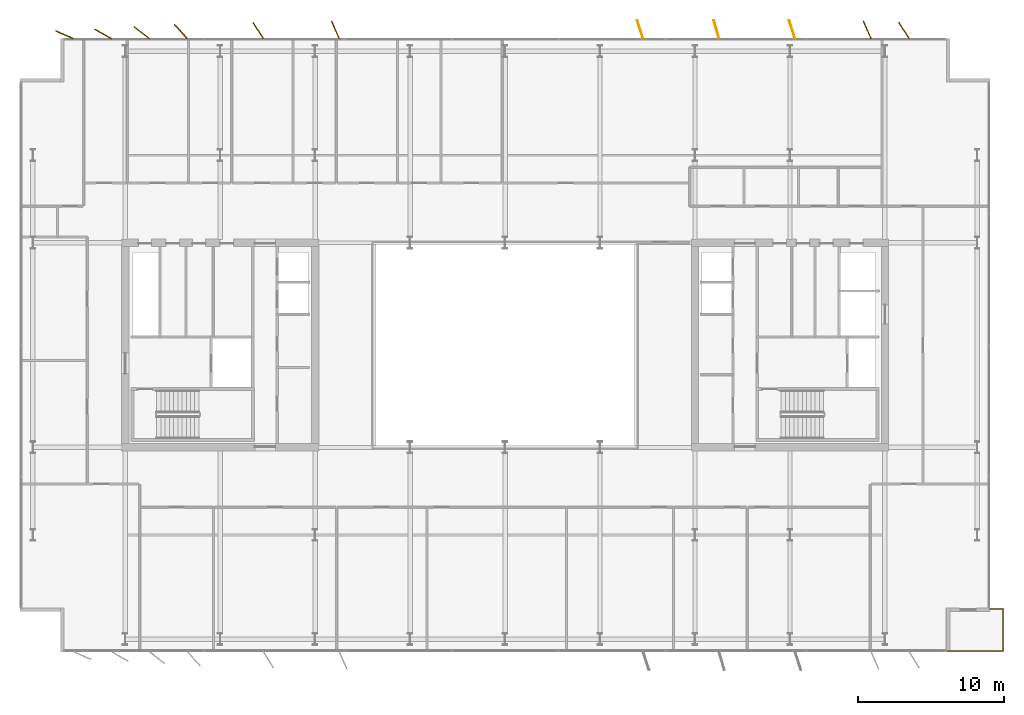
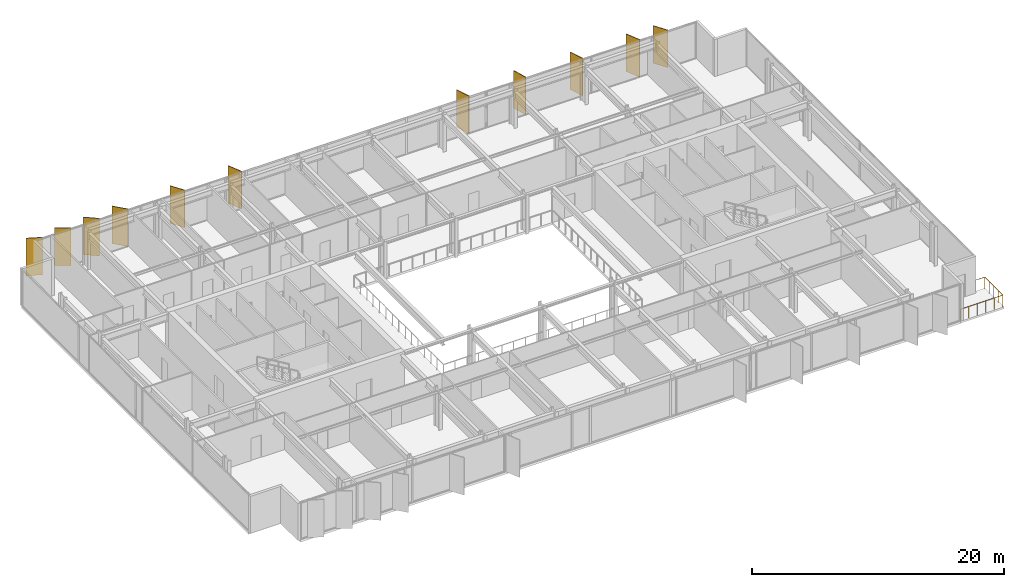
# One storey, part 24 of 24: 11 shading devices, 1 railing.
"""IFC4 building model written with IfcOpenShell, lengths in metres."""

import ifcopenshell
import ifcopenshell.guid

model = None  # the IFC model being written
_history = None  # IfcOwnerHistory: only IFC2X3 demands one
_inside = {}  # id of a spatial element -> (the spatial element, [elements in it])
_under = {}  # id of a project, library or spatial element -> (it, [spatial elements below it])
_declared = {}  # id of a project -> (the project, [libraries it declares])
_typed = {}  # id of a type object -> (the type object, [elements of that type])
_made_of = {}  # id of a material, layer set ... -> (it, [elements and type objects made of it])


def new_model(schema):
    """Start an empty IFC model of exactly this schema.

    Asked for "IFC4X3", IfcOpenShell would pick the latest addendum, in which some entities
    have other attributes; the version numbers below select the first issue.
    IFC2X3 requires an IfcOwnerHistory on every rooted entity: one is made here for all.
    """
    global model, _history
    if schema == "IFC4X3":
        model = ifcopenshell.file(schema_version=(4, 3, 0, 0))
    else:
        model = ifcopenshell.file(schema=schema)
    _inside.clear()
    _under.clear()
    _declared.clear()
    _typed.clear()
    _made_of.clear()
    _history = None
    if model.schema == "IFC2X3":
        org = make("IfcOrganization", Name="unknown")
        user = make(
            "IfcPersonAndOrganization",
            ThePerson=make("IfcPerson", FamilyName="unknown"),
            TheOrganization=org,
        )
        app = make(
            "IfcApplication",
            ApplicationDeveloper=org,
            Version="unknown",
            ApplicationFullName="unknown",
            ApplicationIdentifier="unknown",
        )
        _history = make(
            "IfcOwnerHistory",
            OwningUser=user,
            OwningApplication=app,
            ChangeAction="ADDED",
            CreationDate=0,
        )
    return model


def make(cls, **values):
    """One entity of the class cls with the attributes given. An attribute that is None is left unset."""
    return model.create_entity(
        cls, **{name: value for name, value in values.items() if value is not None}
    )


def rooted(cls, **values):
    """An entity with a GlobalId (a new one), such as an element, a storey or a relation."""
    return make(cls, GlobalId=ifcopenshell.guid.new(), OwnerHistory=_history, **values)


def si_unit(unit_type, name, prefix=None):
    """IfcSIUnit, for example si_unit("LENGTHUNIT", "METRE", prefix="MILLI")."""
    return make("IfcSIUnit", UnitType=unit_type, Prefix=prefix, Name=name)


def assignment(units):
    """IfcUnitAssignment: the units of a project."""
    return None if units is None else make("IfcUnitAssignment", Units=units)


def point(xyz):
    """IfcCartesianPoint."""
    return None if xyz is None else make("IfcCartesianPoint", Coordinates=xyz)


def direction(xyz):
    """IfcDirection."""
    return None if xyz is None else make("IfcDirection", DirectionRatios=xyz)


def frame(location, z_axis=None, x_axis=None):
    """IfcAxis2Placement3D, a coordinate frame: its origin and axes. An axis left out is left unset."""
    return make(
        "IfcAxis2Placement3D",
        Location=point(location),
        Axis=direction(z_axis),
        RefDirection=direction(x_axis),
    )


def frame_2d(location, x_axis=None):
    """IfcAxis2Placement2D, a coordinate frame in the plane: its origin and x axis."""
    return make(
        "IfcAxis2Placement2D", Location=point(location), RefDirection=direction(x_axis)
    )


def origin():
    """The frame at (0, 0, 0) with its axes left unset."""
    return frame((0.0, 0.0, 0.0))


def origin_2d():
    """The frame at (0, 0) in the plane with its x axis left unset."""
    return frame_2d((0.0, 0.0))


def place(relative_to, where):
    """IfcLocalPlacement: puts the frame where relative to a parent placement (None: the world)."""
    return make(
        "IfcLocalPlacement", PlacementRelTo=relative_to, RelativePlacement=where
    )


def context(
    kind, dimensions, precision=None, world=None, true_north=None, identifier=None
):
    """IfcGeometricRepresentationContext, for example the 3D "Model" context."""
    return make(
        "IfcGeometricRepresentationContext",
        ContextIdentifier=identifier,
        ContextType=kind,
        CoordinateSpaceDimension=dimensions,
        Precision=precision,
        WorldCoordinateSystem=world,
        TrueNorth=true_north,
    )


def subcontext(parent, identifier, kind, view, scale=None):
    """IfcGeometricRepresentationSubContext, for example "Body" below "Model"."""
    return make(
        "IfcGeometricRepresentationSubContext",
        ContextIdentifier=identifier,
        ContextType=kind,
        ParentContext=parent,
        TargetScale=scale,
        TargetView=view,
    )


def project(units=None, contexts=None):
    """IfcProject with its units and contexts."""
    return rooted(
        "IfcProject",
        Name="project",
        RepresentationContexts=contexts,
        UnitsInContext=assignment(units),
    )


def spatial(cls, under=None, at=None, **own):
    """A site, building, storey or space (cls), placed at a placement, below another one or the project."""
    s = rooted(cls, ObjectPlacement=at, **own)
    if under is not None:
        _under.setdefault(under.id(), (under, []))[1].append(s)
    return s


def profile(cls, at=None, kind="AREA", **sizes):
    """A parametric profile (cls). Its sizes go by their IFC names, for example OverallWidth=200.0."""
    return make(cls, ProfileType=kind, Position=at, **sizes)


def rectangle(**sizes):
    """IfcRectangleProfileDef."""
    return profile("IfcRectangleProfileDef", **sizes)


def circle(**sizes):
    """IfcCircleProfileDef."""
    return profile("IfcCircleProfileDef", **sizes)


def extrude(swept, where, along, depth):
    """IfcExtrudedAreaSolid: the profile swept, set in the frame where, extruded along a direction by depth."""
    return make(
        "IfcExtrudedAreaSolid",
        SweptArea=swept,
        Position=where,
        ExtrudedDirection=direction(along),
        Depth=depth,
    )


def shape(context_of_items, identifier, shape_type, items):
    """IfcShapeRepresentation: the items that make up one representation, for example the "Body"."""
    return make(
        "IfcShapeRepresentation",
        ContextOfItems=context_of_items,
        RepresentationIdentifier=identifier,
        RepresentationType=shape_type,
        Items=items,
    )


def material(Name=None, Category=None):
    """IfcMaterial."""
    return make("IfcMaterial", Name=Name, Category=Category)


def layer(
    of_material, thickness, ventilated=None, Name=None, Category=None, Priority=None
):
    """IfcMaterialLayer: one layer of a wall or slab, of a material (None: an air gap)."""
    return make(
        "IfcMaterialLayer",
        Material=of_material,
        LayerThickness=thickness,
        IsVentilated=ventilated,
        Name=Name,
        Category=Category,
        Priority=Priority,
    )


def layer_set(layers, Name=None):
    """IfcMaterialLayerSet."""
    return make("IfcMaterialLayerSet", MaterialLayers=layers, LayerSetName=Name)


def made_of(thing, what):
    """Note that an element or type object is made of a material, layer set ...; save() writes the relation."""
    if what is not None:
        _made_of.setdefault(what.id(), (what, []))[1].append(thing)
    return thing


def type_object(cls, material=None, **own):
    """A type object (cls), such as IfcWallType, which elements share."""
    return made_of(rooted(cls, **own), material)


def element(
    cls,
    number,
    at=None,
    inside=None,
    cuts=None,
    type_object=None,
    material=None,
    context=None,
    identifier="Body",
    shape_type=None,
    held_by="IfcProductDefinitionShape",
    body=None,
    shapes=None,
    **own,
):
    """One element of the class cls, such as IfcWall. Its Tag is "e" and its number.

    at: its placement. inside: the storey or other place that contains it. cuts: it is an
    opening in that element (IfcRelVoidsElement). A single representation is given by context,
    identifier, shape_type and body (its items); several are given by shapes. held_by: the class
    of the entity that holds the representations. save() writes the other relations.
    """
    e = rooted(cls, Tag="e%d" % number, ObjectPlacement=at, **own)
    if body is not None:
        shapes = [shape(context, identifier, shape_type, body)]
    if shapes is not None:
        e.Representation = make(held_by, Representations=shapes)
    if inside is not None:
        _inside.setdefault(inside.id(), (inside, []))[1].append(e)
    if cuts is not None:
        rooted(
            "IfcRelVoidsElement", RelatingBuildingElement=cuts, RelatedOpeningElement=e
        )
    if type_object is not None:
        _typed.setdefault(type_object.id(), (type_object, []))[1].append(e)
    return made_of(e, material)


def aggregate(whole, parts):
    """IfcRelAggregates: a whole, such as a stair, and the parts it consists of."""
    return rooted("IfcRelAggregates", RelatingObject=whole, RelatedObjects=parts)


def save(model, path):
    """Write the relations noted so far, then the file.

    IfcRelAggregates (storeys below a building ...), IfcRelContainedInSpatialStructure (elements
    in a storey), IfcRelDefinesByType, IfcRelAssociatesMaterial and IfcRelDeclares: one each for
    every whole, place, type object, material and project.
    """
    for whole, parts in _under.values():
        aggregate(whole, parts)
    for where, things in _inside.values():
        rooted(
            "IfcRelContainedInSpatialStructure",
            RelatedElements=things,
            RelatingStructure=where,
        )
    for kind, things in _typed.values():
        rooted("IfcRelDefinesByType", RelatedObjects=things, RelatingType=kind)
    for what, things in _made_of.values():
        rooted("IfcRelAssociatesMaterial", RelatedObjects=things, RelatingMaterial=what)
    for by, libraries in _declared.values():
        rooted("IfcRelDeclares", RelatingContext=by, RelatedDefinitions=libraries)
    model.write(path)


model = new_model("IFC4")

# Units and contexts
model_context = context("Model", 3, precision=1e-05, world=origin(), true_north=direction((0.0, 1.0)))
body_context = subcontext(model_context, "Body", "Model", "MODEL_VIEW")
ifc_project = project(units=[si_unit("LENGTHUNIT", "METRE"), si_unit("AREAUNIT", "SQUARE_METRE"), si_unit("VOLUMEUNIT", "CUBIC_METRE"), si_unit("PLANEANGLEUNIT", "RADIAN"), si_unit("MASSUNIT", "GRAM", prefix="KILO")], contexts=[model_context])

# Site, building, storey
site_placement = place(None, origin())
site = spatial("IfcSite", under=ifc_project, at=site_placement, CompositionType="ELEMENT")
building_placement = place(site_placement, origin())
building = spatial("IfcBuilding", under=site, at=building_placement, Name="Putna Gate Headquarters", CompositionType="ELEMENT")
storey_placement = place(building_placement, frame((0.0, 0.0, 248.0)))
storey = spatial("IfcBuildingStorey", under=building, at=storey_placement, Name="L62", CompositionType="ELEMENT", Elevation=248.0)

# Railing
ifc_material_1 = material(Name="Anodised bronze steel and laminated glass guardrail", Category="steel")
railing_type = type_object("IfcRailingType", Name="RAIL-TERR-GUARD-1150", PredefinedType="GUARDRAIL", material=ifc_material_1)
railing_placement = place(storey_placement, frame((69.199951171875, 5.06005859375, 0.0)))
element("IfcRailing", 1, at=railing_placement, inside=storey, type_object=railing_type, Name="L62 Spiral Sky Terrace Guardrail SE", PredefinedType="GUARDRAIL", context=body_context, shape_type="SweptSolid", body=[
    extrude(circle(Radius=0.02392578125, at=origin_2d()), frame((0.0, 0.0, 1.1259765625), z_axis=(1.0, 0.0, 0.0), x_axis=(0.0, 1.0, 0.0)), (0.0, 0.0, 1.0), 3.89013671875),
    extrude(circle(Radius=0.02392578125, at=origin_2d()), frame((3.89013671875, 0.0, 1.1259765625), z_axis=(0.0, 1.0, 0.0), x_axis=(-1.0, 0.0, 0.0)), (0.0, 0.0, 1.0), 2.8798828125),
    extrude(circle(Radius=0.02392578125, at=origin_2d()), frame((3.89013671875, 2.8798828125, 1.1259765625), z_axis=(-1.0, 0.0, 0.0), x_axis=(0.0, -1.0, 0.0)), (0.0, 0.0, 1.0), 0.89013671875),
    extrude(circle(Radius=0.02099609375, at=origin_2d()), origin(), (0.0, 0.0, 1.0), 1.101806640625),
    extrude(circle(Radius=0.02099609375, at=origin_2d()), frame((0.778076171875, 0.0, 0.0)), (0.0, 0.0, 1.0), 1.101806640625),
    extrude(circle(Radius=0.02099609375, at=origin_2d()), frame((1.55615234375, 0.0, 0.0)), (0.0, 0.0, 1.0), 1.101806640625),
    extrude(circle(Radius=0.02099609375, at=origin_2d()), frame((2.333984375, 0.0, 0.0)), (0.0, 0.0, 1.0), 1.101806640625),
    extrude(circle(Radius=0.02099609375, at=origin_2d()), frame((3.112060546875, 0.0, 0.0)), (0.0, 0.0, 1.0), 1.101806640625),
    extrude(circle(Radius=0.02099609375, at=origin_2d()), frame((3.89013671875, 0.0, 0.0)), (0.0, 0.0, 1.0), 1.101806640625),
    extrude(circle(Radius=0.02099609375, at=origin_2d()), frame((3.89013671875, 0.719970703125, 0.0)), (0.0, 0.0, 1.0), 1.101806640625),
    extrude(circle(Radius=0.02099609375, at=origin_2d()), frame((3.89013671875, 1.43994140625, 0.0)), (0.0, 0.0, 1.0), 1.101806640625),
    extrude(circle(Radius=0.02099609375, at=origin_2d()), frame((3.89013671875, 2.159912109375, 0.0)), (0.0, 0.0, 1.0), 1.101806640625),
    extrude(circle(Radius=0.02099609375, at=origin_2d()), frame((3.89013671875, 2.8798828125, 0.0)), (0.0, 0.0, 1.0), 1.101806640625),
    extrude(circle(Radius=0.02099609375, at=origin_2d()), frame((3.0, 2.8798828125, 0.0)), (0.0, 0.0, 1.0), 1.101806640625),
])

# Shading devices
ifc_material_2 = material(Name="Anodised architectural bronze aluminium fin", Category="aluminium")
ifc_layer = layer(ifc_material_2, 0.06494140625)
ifc_layer_set = layer_set([ifc_layer], Name="Anodised architectural bronze aluminium fin")
shading_device_type = type_object("IfcShadingDeviceType", Name="SHADE-BRONZE-FIN-1320", PredefinedType="USERDEFINED", material=ifc_layer_set)
for number, where, z_axis, x_axis, name in (
    (2, (8.846923828125, 47.2431640625, -0.02001953125), (0.0, 0.0, 1.0), (-0.913687379856, 0.40641773078, 0.0), "L62 Bronze Vertical Shading Fin N1"),
    (3, (11.476318359375, 47.30126953125, -0.02001953125), (0.0, 0.0, 1.0), (-0.869322458298, 0.494245347472, 0.0), "L62 Bronze Vertical Shading Fin N2"),
    (4, (14.13037109375, 47.3818359375, -0.02001953125), (0.0, 0.0, 1.0), (-0.787473187632, 0.616348909921, 0.0), "L62 Bronze Vertical Shading Fin N3"),
    (5, (16.808349609375, 47.465576171875, -0.02001953125), (0.0, 0.0, 1.0), (-0.669130606359, 0.743144825477, 0.0), "L62 Bronze Vertical Shading Fin N4"),
    (6, (22.099853515625, 47.534423828125, -0.02001953125), (0.0, 0.0, 1.0), (-0.530659123936, 0.847585331506, 0.0), "L62 Bronze Vertical Shading Fin N5"),
    (7, (27.385498046875, 47.57958984375, -0.02001953125), (0.0, 0.0, 1.0), (-0.400668879095, 0.916222925562, 0.0), "L62 Bronze Vertical Shading Fin N6"),
    (8, (48.246337890625, 47.602783203125, -0.02001953125), (0.0, 0.0, 1.0), (-0.308684994204, 0.951164325631, 0.0), "L62 Bronze Vertical Shading Fin N7"),
    (9, (53.468017578125, 47.609375, -0.02001953125), (0.0, 0.0, 1.0), (-0.275637355817, 0.961261695938, 0.0), "L62 Bronze Vertical Shading Fin N8"),
    (10, (58.646240234375, 47.602783203125, -0.02001953125), (0.0, 0.0, 1.0), (-0.308684994204, 0.951164325631, 0.0), "L62 Bronze Vertical Shading Fin N9"),
    (11, (63.78564453125, 47.57958984375, -0.02001953125), (0.0, 0.0, 1.0), (-0.400668879095, 0.916222925562, 0.0), "L62 Bronze Vertical Shading Fin N10"),
    (12, (66.2998046875, 47.534423828125, -0.02001953125), (0.0, 0.0, 1.0), (-0.530659123936, 0.847585331506, 0.0), "L62 Bronze Vertical Shading Fin N11"),
):
    element("IfcShadingDevice", number, at=place(storey_placement, frame(where, z_axis=z_axis, x_axis=x_axis)), inside=storey, type_object=shading_device_type, Name=name, ObjectType="FIN", PredefinedType="USERDEFINED", context=body_context, shape_type="SweptSolid", body=[
        extrude(rectangle(XDim=1.320068359375, YDim=0.06494140625, at=origin_2d()), origin(), (0.0, 0.0, 1.0), 3.6201171875),
    ])

save(model, "model.ifc")
